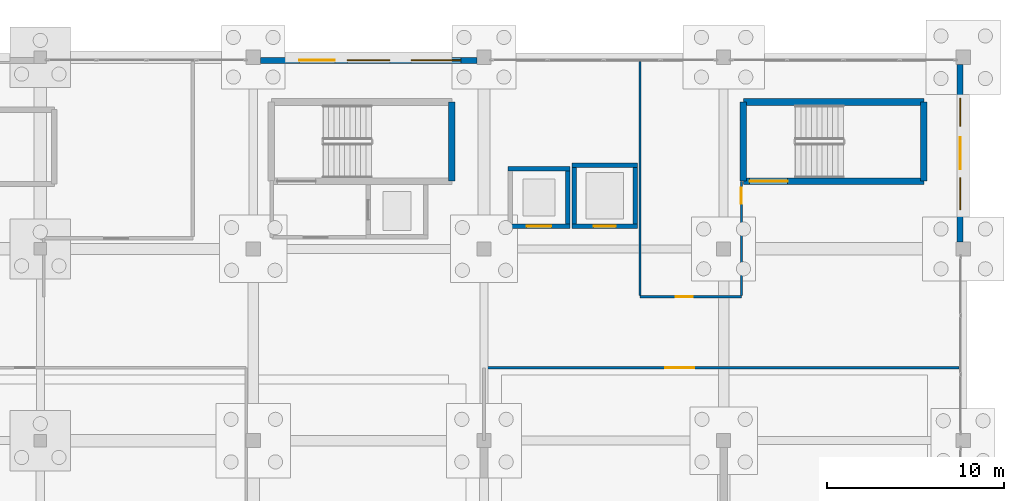
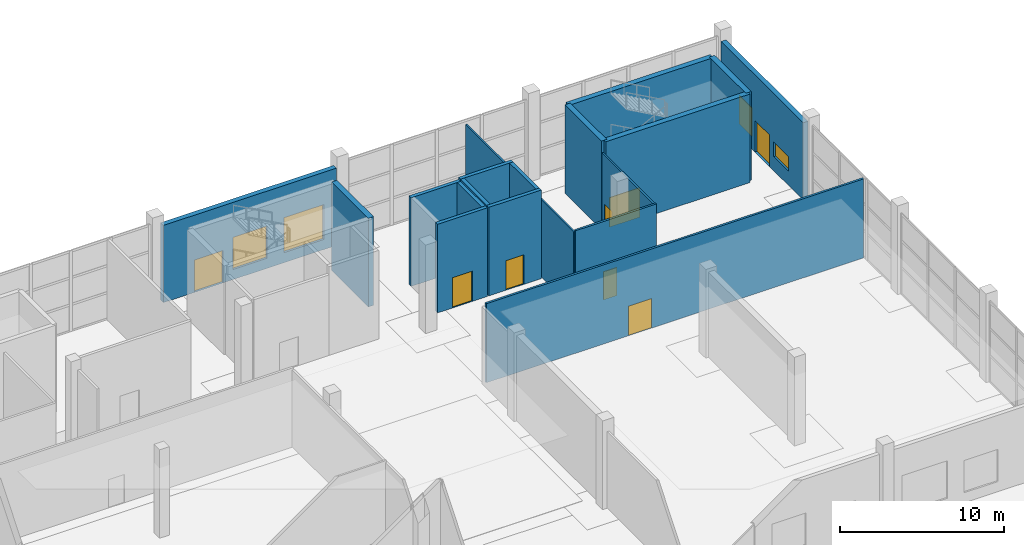
# One storey, part 95 of 115: 18 walls, 8 doors, 4 windows, 12 openings.
"""IFC4 building model written with IfcOpenShell, lengths in metres."""

from ifc_helpers import new_model, si_unit, direction, frame, frame_2d, origin, place, context, subcontext, project, spatial, rectangle, extrude, material, layer, layer_set, type_object, element, fill, save


model = new_model("IFC4")

# Units and contexts
model_context = context("Model", 3, precision=1e-05, world=origin(), true_north=direction((0.0, 1.0)))
body_context = subcontext(model_context, "Body", "Model", "MODEL_VIEW")
ifc_project = project(units=[si_unit("LENGTHUNIT", "METRE"), si_unit("AREAUNIT", "SQUARE_METRE"), si_unit("VOLUMEUNIT", "CUBIC_METRE"), si_unit("PLANEANGLEUNIT", "RADIAN"), si_unit("MASSUNIT", "GRAM", prefix="KILO")], contexts=[model_context])

# Site, building, storey
site_placement = place(None, origin())
site = spatial("IfcSite", under=ifc_project, at=site_placement, CompositionType="ELEMENT")
building_placement = place(site_placement, origin())
building = spatial("IfcBuilding", under=site, at=building_placement, Name="Tamarisk Ironworks Central Station", CompositionType="ELEMENT")
storey_placement = place(building_placement, origin())
storey = spatial("IfcBuildingStorey", under=building, at=storey_placement, Name="L00", CompositionType="ELEMENT", Elevation=0.0)

# Wall, openings, door, windows
ifc_material_1 = material(Name="Clay facing brickwork and mortar", Category="masonry")
ifc_layer_1 = layer(ifc_material_1, 0.340087890625)
ifc_layer_set_1 = layer_set([ifc_layer_1], Name="Clay facing brickwork and mortar")
wall_type_1 = type_object("IfcWallType", Name="WL-BR340", PredefinedType="STANDARD", material=ifc_layer_set_1)
wall_1_placement = place(storey_placement, frame((140.39794921875, 122.22998046875, 0.0), z_axis=(0.0, 0.0, 1.0), x_axis=(1.0, 0.0, 0.0)))
wall_1 = element("IfcWall", 1, at=wall_1_placement, inside=storey, type_object=wall_type_1, Name="L00 brick facade wall 0043", PredefinedType="STANDARD", context=body_context, shape_type="SweptSolid", body=[
    extrude(rectangle(XDim=12.2041015625, YDim=0.340087890625, at=frame_2d((6.10205078125, 0.0))), origin(), (0.0, 0.0, 1.0), 5.75),
])
opening_1_placement = place(wall_1_placement, frame((2.199951171875, 0.0, 0.0048828125)))
opening_1 = element("IfcOpeningElement", 2, at=opening_1_placement, cuts=wall_1, Name="Opening ED07", PredefinedType="OPENING", context=body_context, shape_type="SweptSolid", body=[
    extrude(rectangle(XDim=2.0, YDim=2.39990234375, at=frame_2d((1.0, 1.199951171875))), frame((0.0, 0.18212890625, 0.0), z_axis=(0.0, -1.0, 0.0), x_axis=(1.0, 0.0, 0.0)), (0.0, 0.0, 1.0), 0.364013671875),
])
opening_2_placement = place(wall_1_placement, frame((4.902099609375, 0.0, 0.75)))
opening_2 = element("IfcOpeningElement", 3, at=opening_2_placement, cuts=wall_1, Name="Opening W06", PredefinedType="OPENING", context=body_context, shape_type="SweptSolid", body=[
    extrude(rectangle(XDim=2.39990234375, YDim=2.39990234375, at=frame_2d((1.199951171875, 1.199951171875))), frame((0.0, 0.18212890625, 0.0), z_axis=(0.0, -1.0, 0.0), x_axis=(1.0, 0.0, 0.0)), (0.0, 0.0, 1.0), 0.364013671875),
])
opening_3_placement = place(wall_1_placement, frame((8.5029296875, 0.0, 0.75)))
opening_3 = element("IfcOpeningElement", 4, at=opening_3_placement, cuts=wall_1, Name="Opening W04", PredefinedType="OPENING", context=body_context, shape_type="SweptSolid", body=[
    extrude(rectangle(XDim=2.800048828125, YDim=2.60009765625, at=frame_2d((1.39990234375, 1.300048828125))), frame((0.0, 0.18212890625, 0.0), z_axis=(0.0, -1.0, 0.0), x_axis=(1.0, 0.0, 0.0)), (0.0, 0.0, 1.0), 0.364013671875),
])
ifc_material_2 = material(Name="Galvanised hollow-metal door steel", Category="steel")
door_type_1 = type_object("IfcDoorType", Name="DR-ED07", OperationType="NOTDEFINED", PredefinedType="DOOR", material=ifc_material_2)
door_1_placement = place(opening_1_placement, origin())
door_1 = element("IfcDoor", 5, at=door_1_placement, inside=storey, type_object=door_type_1, Name="L00 exterior entrance door 0010", OperationType="SINGLE_SWING_RIGHT", OverallHeight=2.39990234375, OverallWidth=2.0, PredefinedType="DOOR", context=body_context, shape_type="SweptSolid", body=[
    extrude(rectangle(XDim=2.0, YDim=2.39990234375, at=frame_2d((1.0, 1.199951171875))), frame((0.0, 0.02490234375, 0.0), z_axis=(0.0, -1.0, 0.0), x_axis=(1.0, 0.0, 0.0)), (0.0, 0.0, 1.0), 0.050048828125),
])
fill(opening_1, door_1)
ifc_material_3 = material(Name="Laminated solar-control low-E glass", Category="glass")
window_type_1 = type_object("IfcWindowType", Name="WN-04", PartitioningType="SINGLE_PANEL", PredefinedType="WINDOW", material=ifc_material_3)
window_1_placement = place(opening_3_placement, origin())
window_1 = element("IfcWindow", 6, at=window_1_placement, inside=storey, type_object=window_type_1, Name="L00 exterior window 0055", OverallHeight=2.60009765625, OverallWidth=2.800048828125, PartitioningType="DOUBLE_PANEL_VERTICAL", PredefinedType="WINDOW", context=body_context, shape_type="SweptSolid", body=[
    extrude(rectangle(XDim=2.800048828125, YDim=2.60009765625, at=frame_2d((1.39990234375, 1.300048828125))), frame((0.0, 0.030029296875, 0.0), z_axis=(0.0, -1.0, 0.0), x_axis=(1.0, 0.0, 0.0)), (0.0, 0.0, 1.0), 0.06005859375),
])
fill(opening_3, window_1)
window_type_2 = type_object("IfcWindowType", Name="WN-06", PartitioningType="SINGLE_PANEL", PredefinedType="WINDOW", material=ifc_material_3)
window_2_placement = place(opening_2_placement, origin())
window_2 = element("IfcWindow", 7, at=window_2_placement, inside=storey, type_object=window_type_2, Name="L00 exterior window 0054", OverallHeight=2.39990234375, OverallWidth=2.39990234375, PartitioningType="DOUBLE_PANEL_VERTICAL", PredefinedType="WINDOW", context=body_context, shape_type="SweptSolid", body=[
    extrude(rectangle(XDim=2.39990234375, YDim=2.39990234375, at=frame_2d((1.199951171875, 1.199951171875))), frame((0.0, 0.030029296875, 0.0), z_axis=(0.0, -1.0, 0.0), x_axis=(1.0, 0.0, 0.0)), (0.0, 0.0, 1.0), 0.06005859375),
])
fill(opening_2, window_2)

wall_2_placement = place(storey_placement, frame((179.830078125, 122.001953125, 0.0), z_axis=(0.0, 0.0, 1.0), x_axis=(0.0, -1.0, 0.0)))
wall_2 = element("IfcWall", 8, at=wall_2_placement, inside=storey, type_object=wall_type_1, Name="L00 brick facade wall 0044", PredefinedType="STANDARD", context=body_context, shape_type="SweptSolid", body=[
    extrude(rectangle(XDim=10.00390625, YDim=0.340087890625, at=frame_2d((5.001953125, 0.0))), origin(), (0.0, 0.0, 1.0), 5.75),
])
opening_4_placement = place(wall_2_placement, frame((4.10205078125, 0.0, 0.0048828125)))
opening_4 = element("IfcOpeningElement", 9, at=opening_4_placement, cuts=wall_2, Name="Opening ED08", PredefinedType="OPENING", context=body_context, shape_type="SweptSolid", body=[
    extrude(rectangle(XDim=1.800048828125, YDim=2.35009765625, at=frame_2d((0.89990234375, 1.175048828125))), frame((0.0, 0.18212890625, 0.0), z_axis=(0.0, -1.0, 0.0), x_axis=(1.0, 0.0, 0.0)), (0.0, 0.0, 1.0), 0.364013671875),
])
opening_5_placement = place(wall_2_placement, frame((1.90087890625, 0.0, 0.75)))
opening_5 = element("IfcOpeningElement", 10, at=opening_5_placement, cuts=wall_2, Name="Opening W10", PredefinedType="OPENING", context=body_context, shape_type="SweptSolid", body=[
    extrude(rectangle(XDim=1.60009765625, YDim=2.10009765625, at=frame_2d((0.800048828125, 1.050048828125))), frame((0.0, 0.18212890625, 0.0), z_axis=(0.0, -1.0, 0.0), x_axis=(1.0, 0.0, 0.0)), (0.0, 0.0, 1.0), 0.364013671875),
])
opening_6_placement = place(wall_2_placement, frame((6.403076171875, 0.0, 1.050048828125)))
opening_6 = element("IfcOpeningElement", 11, at=opening_6_placement, cuts=wall_2, Name="Opening W18", PredefinedType="OPENING", context=body_context, shape_type="SweptSolid", body=[
    extrude(rectangle(XDim=1.800048828125, YDim=1.10009765625, at=frame_2d((0.89990234375, 0.550048828125))), frame((0.0, 0.18212890625, 0.0), z_axis=(0.0, -1.0, 0.0), x_axis=(1.0, 0.0, 0.0)), (0.0, 0.0, 1.0), 0.364013671875),
])
door_type_2 = type_object("IfcDoorType", Name="DR-ED08", OperationType="NOTDEFINED", PredefinedType="DOOR", material=ifc_material_2)
door_2_placement = place(opening_4_placement, origin())
door_2 = element("IfcDoor", 12, at=door_2_placement, inside=storey, type_object=door_type_2, Name="L00 exterior entrance door 0011", OperationType="SINGLE_SWING_RIGHT", OverallHeight=2.35009765625, OverallWidth=1.800048828125, PredefinedType="DOOR", context=body_context, shape_type="SweptSolid", body=[
    extrude(rectangle(XDim=1.800048828125, YDim=2.35009765625, at=frame_2d((0.89990234375, 1.175048828125))), frame((0.0, 0.02490234375, 0.0), z_axis=(0.0, -1.0, 0.0), x_axis=(1.0, 0.0, 0.0)), (0.0, 0.0, 1.0), 0.050048828125),
])
fill(opening_4, door_2)
window_type_3 = type_object("IfcWindowType", Name="WN-10", PartitioningType="SINGLE_PANEL", PredefinedType="WINDOW", material=ifc_material_3)
window_3_placement = place(opening_5_placement, origin())
window_3 = element("IfcWindow", 13, at=window_3_placement, inside=storey, type_object=window_type_3, Name="L00 exterior window 0056", OverallHeight=2.10009765625, OverallWidth=1.60009765625, PartitioningType="DOUBLE_PANEL_VERTICAL", PredefinedType="WINDOW", context=body_context, shape_type="SweptSolid", body=[
    extrude(rectangle(XDim=1.60009765625, YDim=2.10009765625, at=frame_2d((0.800048828125, 1.050048828125))), frame((0.0, 0.030029296875, 0.0), z_axis=(0.0, -1.0, 0.0), x_axis=(1.0, 0.0, 0.0)), (0.0, 0.0, 1.0), 0.06005859375),
])
fill(opening_5, window_3)
window_type_4 = type_object("IfcWindowType", Name="WN-18", PartitioningType="SINGLE_PANEL", PredefinedType="WINDOW", material=ifc_material_3)
window_4_placement = place(opening_6_placement, origin())
window_4 = element("IfcWindow", 14, at=window_4_placement, inside=storey, type_object=window_type_4, Name="L00 exterior window 0057", OverallHeight=1.10009765625, OverallWidth=1.800048828125, PartitioningType="DOUBLE_PANEL_VERTICAL", PredefinedType="WINDOW", context=body_context, shape_type="SweptSolid", body=[
    extrude(rectangle(XDim=1.800048828125, YDim=1.10009765625, at=frame_2d((0.89990234375, 0.550048828125))), frame((0.0, 0.030029296875, 0.0), z_axis=(0.0, -1.0, 0.0), x_axis=(1.0, 0.0, 0.0)), (0.0, 0.0, 1.0), 0.06005859375),
])
fill(opening_6, window_4)

# Wall
ifc_material_4 = material(Name="Concrete C50/60", Category="concrete")
ifc_layer_2 = layer(ifc_material_4, 0.3798828125)
ifc_layer_set_2 = layer_set([ifc_layer_2], Name="Concrete C50/60")
wall_type_2 = type_object("IfcWallType", Name="WL-CW380", PredefinedType="SOLIDWALL", material=ifc_layer_set_2)
wall_3_placement = place(storey_placement, frame((151.18505859375, 115.4150390625, 0.0), z_axis=(0.0, 0.0, 1.0), x_axis=(0.0, 1.0, 0.0)))
element("IfcWall", 15, at=wall_3_placement, inside=storey, type_object=wall_type_2, Name="ST-C1 core wall F (L00)", PredefinedType="SOLIDWALL", context=body_context, shape_type="SweptSolid", body=[
    extrude(rectangle(XDim=4.469970703125, YDim=0.3798828125, at=frame_2d((2.23486328125, 0.0))), origin(), (0.0, 0.0, 1.0), 6.60009765625),
])

# Wall, opening, door
wall_4_placement = place(storey_placement, frame((167.614990234375, 115.4150390625, 0.0), z_axis=(0.0, 0.0, 1.0), x_axis=(1.0, 0.0, 0.0)))
wall_4 = element("IfcWall", 16, at=wall_4_placement, inside=storey, type_object=wall_type_2, Name="ST-C2 core wall L (L00)", PredefinedType="SOLIDWALL", context=body_context, shape_type="SweptSolid", body=[
    extrude(rectangle(XDim=10.169921875, YDim=0.3798828125, at=frame_2d((5.0849609375, 0.0))), origin(), (0.0, 0.0, 1.0), 6.60009765625),
])
opening_7_placement = place(wall_4_placement, frame((0.35009765625, 0.0, 0.0048828125)))
opening_7 = element("IfcOpeningElement", 17, at=opening_7_placement, cuts=wall_4, Name="Opening FD01", PredefinedType="OPENING", context=body_context, shape_type="SweptSolid", body=[
    extrude(rectangle(XDim=2.14990234375, YDim=2.199951171875, at=frame_2d((1.074951171875, 1.10009765625))), frame((0.0, 0.201904296875, 0.0), z_axis=(0.0, -1.0, 0.0), x_axis=(1.0, 0.0, 0.0)), (0.0, 0.0, 1.0), 0.40380859375),
])
door_type_3 = type_object("IfcDoorType", Name="DR-FD01", OperationType="NOTDEFINED", PredefinedType="DOOR", material=ifc_material_2)
door_3_placement = place(opening_7_placement, origin())
door_3 = element("IfcDoor", 18, at=door_3_placement, inside=storey, type_object=door_type_3, Name="ST-C2 fire stair door (L00)", OperationType="SINGLE_SWING_LEFT", OverallHeight=2.199951171875, OverallWidth=2.14990234375, PredefinedType="DOOR", context=body_context, shape_type="SweptSolid", body=[
    extrude(rectangle(XDim=2.14990234375, YDim=2.199951171875, at=frame_2d((1.074951171875, 1.10009765625))), frame((0.0, 0.02490234375, 0.0), z_axis=(0.0, -1.0, 0.0), x_axis=(1.0, 0.0, 0.0)), (0.0, 0.0, 1.0), 0.050048828125),
])
fill(opening_7, door_3)

# Walls
wall_5_placement = place(storey_placement, frame((167.614990234375, 119.885009765625, 0.0), z_axis=(0.0, 0.0, 1.0), x_axis=(1.0, 0.0, 0.0)))
element("IfcWall", 19, at=wall_5_placement, inside=storey, type_object=wall_type_2, Name="ST-C2 core wall R (L00)", PredefinedType="SOLIDWALL", context=body_context, shape_type="SweptSolid", body=[
    extrude(rectangle(XDim=10.169921875, YDim=0.3798828125, at=frame_2d((5.0849609375, 0.0))), origin(), (0.0, 0.0, 1.0), 6.60009765625),
])
for number, where, z_axis, x_axis, name in (
    (20, (167.614990234375, 115.4150390625, 0.0), (0.0, 0.0, 1.0), (0.0, 1.0, 0.0), "ST-C2 core wall N (L00)"),
    (21, (177.784912109375, 115.4150390625, 0.0), (0.0, 0.0, 1.0), (0.0, 1.0, 0.0), "ST-C2 core wall F (L00)"),
):
    element("IfcWall", number, at=place(storey_placement, frame(where, z_axis=z_axis, x_axis=x_axis)), inside=storey, type_object=wall_type_2, Name=name, PredefinedType="SOLIDWALL", context=body_context, shape_type="SweptSolid", body=[
        extrude(rectangle(XDim=4.469970703125, YDim=0.3798828125, at=frame_2d((2.23486328125, 0.0))), origin(), (0.0, 0.0, 1.0), 6.60009765625),
    ])

# Wall, opening, door
ifc_material_5 = material(Name="Gypsum plasterboard acoustic partition")
ifc_layer_3 = layer(ifc_material_5, 0.1201171875)
ifc_layer_set_3 = layer_set([ifc_layer_3], Name="Gypsum plasterboard acoustic partition")
wall_type_3 = type_object("IfcWallType", Name="WL-PT120", PredefinedType="PARTITIONING", material=ifc_layer_set_3)
wall_6_placement = place(storey_placement, frame((167.5, 108.972900390625, 0.0), z_axis=(0.0, 0.0, 1.0), x_axis=(0.0, 1.0, 0.0)))
wall_6 = element("IfcWall", 22, at=wall_6_placement, inside=storey, type_object=wall_type_3, Name="L00 interior partition 0063", PredefinedType="PARTITIONING", context=body_context, shape_type="SweptSolid", body=[
    extrude(rectangle(XDim=6.427001953125, YDim=0.1201171875, at=frame_2d((3.21337890625, 0.0))), origin(), (0.0, 0.0, 1.0), 5.739990234375),
])
opening_8_placement = place(wall_6_placement, frame((5.177001953125, 0.0, 0.0048828125)))
opening_8 = element("IfcOpeningElement", 23, at=opening_8_placement, cuts=wall_6, Name="Opening D08", PredefinedType="OPENING", context=body_context, shape_type="SweptSolid", body=[
    extrude(rectangle(XDim=0.89990234375, YDim=2.10009765625, at=frame_2d((0.449951171875, 1.050048828125))), frame((0.0, 0.072021484375, 0.0), z_axis=(0.0, -1.0, 0.0), x_axis=(1.0, 0.0, 0.0)), (0.0, 0.0, 1.0), 0.14404296875),
])
ifc_material_6 = material(Name="FSC certified tropical hardwood timber", Category="wood")
door_type_4 = type_object("IfcDoorType", Name="DR-ID08", OperationType="NOTDEFINED", PredefinedType="DOOR", material=ifc_material_6)
door_4_placement = place(opening_8_placement, origin())
door_4 = element("IfcDoor", 24, at=door_4_placement, inside=storey, type_object=door_type_4, Name="L00 room door 0049", OperationType="SINGLE_SWING_RIGHT", OverallHeight=2.10009765625, OverallWidth=0.89990234375, PredefinedType="DOOR", context=body_context, shape_type="SweptSolid", body=[
    extrude(rectangle(XDim=0.89990234375, YDim=2.10009765625, at=frame_2d((0.449951171875, 1.050048828125))), frame((0.0, 0.02490234375, 0.0), z_axis=(0.0, -1.0, 0.0), x_axis=(1.0, 0.0, 0.0)), (0.0, 0.0, 1.0), 0.050048828125),
])
fill(opening_8, door_4)

# Wall
wall_7_placement = place(storey_placement, frame((161.800048828125, 108.972900390625, 0.0), z_axis=(0.0, 0.0, 1.0), x_axis=(0.0, 1.0, 0.0)))
element("IfcWall", 25, at=wall_7_placement, inside=storey, type_object=wall_type_3, Name="L00 interior partition 0064", PredefinedType="PARTITIONING", context=body_context, shape_type="SweptSolid", body=[
    extrude(rectangle(XDim=13.189208984375, YDim=0.1201171875, at=frame_2d((6.5947265625, 0.0))), origin(), (0.0, 0.0, 1.0), 5.739990234375),
])

# Wall, opening, door
ifc_layer_4 = layer(ifc_material_5, 0.14990234375)
ifc_layer_set_4 = layer_set([ifc_layer_4], Name="Gypsum plasterboard acoustic partition")
wall_type_4 = type_object("IfcWallType", Name="WL-PT150", PredefinedType="PARTITIONING", material=ifc_layer_set_4)
wall_8_placement = place(storey_placement, frame((153.199951171875, 104.89990234375, 0.0), z_axis=(0.0, 0.0, 1.0), x_axis=(1.0, 0.0, 0.0)))
wall_8 = element("IfcWall", 26, at=wall_8_placement, inside=storey, type_object=wall_type_4, Name="L00 interior partition 0059", PredefinedType="PARTITIONING", context=body_context, shape_type="SweptSolid", body=[
    extrude(rectangle(XDim=26.56201171875, YDim=0.14990234375, at=frame_2d((13.281005859375, 0.0))), origin(), (0.0, 0.0, 1.0), 5.889892578125),
])
opening_9_placement = place(wall_8_placement, frame((10.0, 0.0, 0.0048828125)))
opening_9 = element("IfcOpeningElement", 27, at=opening_9_placement, cuts=wall_8, Name="Opening D03", PredefinedType="OPENING", context=body_context, shape_type="SweptSolid", body=[
    extrude(rectangle(XDim=1.64990234375, YDim=2.199951171875, at=frame_2d((0.824951171875, 1.10009765625))), frame((0.0, 0.0869140625, 0.0), z_axis=(0.0, -1.0, 0.0), x_axis=(1.0, 0.0, 0.0)), (0.0, 0.0, 1.0), 0.173828125),
])
door_type_5 = type_object("IfcDoorType", Name="DR-ID03", OperationType="NOTDEFINED", PredefinedType="DOOR", material=ifc_material_6)
door_5_placement = place(opening_9_placement, origin())
door_5 = element("IfcDoor", 28, at=door_5_placement, inside=storey, type_object=door_type_5, Name="L00 room door 0046", OperationType="DOUBLE_DOOR_SINGLE_SWING", OverallHeight=2.199951171875, OverallWidth=1.64990234375, PredefinedType="DOOR", context=body_context, shape_type="SweptSolid", body=[
    extrude(rectangle(XDim=1.64990234375, YDim=2.199951171875, at=frame_2d((0.824951171875, 1.10009765625))), frame((0.0, 0.02490234375, 0.0), z_axis=(0.0, -1.0, 0.0), x_axis=(1.0, 0.0, 0.0)), (0.0, 0.0, 1.0), 0.050048828125),
])
fill(opening_9, door_5)

wall_9_placement = place(storey_placement, frame((161.800048828125, 108.89990234375, 0.0), z_axis=(0.0, 0.0, 1.0), x_axis=(1.0, 0.0, 0.0)))
wall_9 = element("IfcWall", 29, at=wall_9_placement, inside=storey, type_object=wall_type_4, Name="L00 interior partition 0062", PredefinedType="PARTITIONING", context=body_context, shape_type="SweptSolid", body=[
    extrude(rectangle(XDim=5.699951171875, YDim=0.14990234375, at=frame_2d((2.85009765625, 0.0))), origin(), (0.0, 0.0, 1.0), 5.889892578125),
])
opening_10_placement = place(wall_9_placement, frame((2.0, 0.0, 0.0048828125)))
opening_10 = element("IfcOpeningElement", 30, at=opening_10_placement, cuts=wall_9, Name="Opening D07", PredefinedType="OPENING", context=body_context, shape_type="SweptSolid", body=[
    extrude(rectangle(XDim=0.949951171875, YDim=2.10009765625, at=frame_2d((0.47509765625, 1.050048828125))), frame((0.0, 0.0869140625, 0.0), z_axis=(0.0, -1.0, 0.0), x_axis=(1.0, 0.0, 0.0)), (0.0, 0.0, 1.0), 0.173828125),
])
door_type_6 = type_object("IfcDoorType", Name="DR-ID07", OperationType="NOTDEFINED", PredefinedType="DOOR", material=ifc_material_6)
door_6_placement = place(opening_10_placement, origin())
door_6 = element("IfcDoor", 31, at=door_6_placement, inside=storey, type_object=door_type_6, Name="L00 room door 0048", OperationType="SINGLE_SWING_LEFT", OverallHeight=2.10009765625, OverallWidth=0.949951171875, PredefinedType="DOOR", context=body_context, shape_type="SweptSolid", body=[
    extrude(rectangle(XDim=0.949951171875, YDim=2.10009765625, at=frame_2d((0.47509765625, 1.050048828125))), frame((0.0, 0.02490234375, 0.0), z_axis=(0.0, -1.0, 0.0), x_axis=(1.0, 0.0, 0.0)), (0.0, 0.0, 1.0), 0.050048828125),
])
fill(opening_10, door_6)

ifc_layer_5 = layer(ifc_material_4, 0.25)
ifc_layer_set_5 = layer_set([ifc_layer_5], Name="Concrete C50/60")
wall_type_5 = type_object("IfcWallType", Name="WL-SH250", PredefinedType="SOLIDWALL", material=ifc_layer_set_5)
wall_10_placement = place(storey_placement, frame((154.35009765625, 112.875, 0.0), z_axis=(0.0, 0.0, 1.0), x_axis=(1.0, 0.0, 0.0)))
wall_10 = element("IfcWall", 32, at=wall_10_placement, inside=storey, type_object=wall_type_5, Name="LF-O1 lift shaft wall S (L00)", PredefinedType="SOLIDWALL", context=body_context, shape_type="SweptSolid", body=[
    extrude(rectangle(XDim=3.5, YDim=0.25, at=frame_2d((1.75, 0.0))), origin(), (0.0, 0.0, 1.0), 6.60009765625),
])
opening_11_placement = place(wall_10_placement, frame((1.050048828125, 0.0, 0.0048828125)))
opening_11 = element("IfcOpeningElement", 33, at=opening_11_placement, cuts=wall_10, Name="Opening LD01", PredefinedType="OPENING", context=body_context, shape_type="SweptSolid", body=[
    extrude(rectangle(XDim=1.39990234375, YDim=2.25, at=frame_2d((0.699951171875, 1.125))), frame((0.0, 0.136962890625, 0.0), z_axis=(0.0, -1.0, 0.0), x_axis=(1.0, 0.0, 0.0)), (0.0, 0.0, 1.0), 0.27392578125),
])
ifc_material_7 = material(Name="Brushed stainless steel AISI 316", Category="steel")
door_type_7 = type_object("IfcDoorType", Name="DR-LD01", OperationType="NOTDEFINED", PredefinedType="DOOR", material=ifc_material_7)
door_7_placement = place(opening_11_placement, origin())
door_7 = element("IfcDoor", 34, at=door_7_placement, inside=storey, type_object=door_type_7, Name="LF-O1 sliding lift landing door (L00)", OperationType="SLIDING_TO_LEFT", OverallHeight=2.25, OverallWidth=1.39990234375, PredefinedType="DOOR", context=body_context, shape_type="SweptSolid", body=[
    extrude(rectangle(XDim=1.39990234375, YDim=2.25, at=frame_2d((0.699951171875, 1.125))), frame((0.0, 0.02490234375, 0.0), z_axis=(0.0, -1.0, 0.0), x_axis=(1.0, 0.0, 0.0)), (0.0, 0.0, 1.0), 0.050048828125),
])
fill(opening_11, door_7)

# Walls
wall_11_placement = place(storey_placement, frame((154.35009765625, 116.125, 0.0), z_axis=(0.0, 0.0, 1.0), x_axis=(1.0, 0.0, 0.0)))
element("IfcWall", 35, at=wall_11_placement, inside=storey, type_object=wall_type_5, Name="LF-O1 lift shaft wall N (L00)", PredefinedType="SOLIDWALL", context=body_context, shape_type="SweptSolid", body=[
    extrude(rectangle(XDim=3.5, YDim=0.25, at=frame_2d((1.75, 0.0))), origin(), (0.0, 0.0, 1.0), 6.60009765625),
])
wall_12_placement = place(storey_placement, frame((157.72509765625, 113.0, 0.0), z_axis=(0.0, 0.0, 1.0), x_axis=(0.0, 1.0, 0.0)))
element("IfcWall", 36, at=wall_12_placement, inside=storey, type_object=wall_type_5, Name="LF-O1 lift shaft wall E (L00)", PredefinedType="SOLIDWALL", context=body_context, shape_type="SweptSolid", body=[
    extrude(rectangle(XDim=3.0, YDim=0.25, at=frame_2d((1.5, 0.0))), origin(), (0.0, 0.0, 1.0), 6.60009765625),
])

# Wall, opening, door
wall_13_placement = place(storey_placement, frame((157.949951171875, 112.875, 0.0), z_axis=(0.0, 0.0, 1.0), x_axis=(1.0, 0.0, 0.0)))
wall_13 = element("IfcWall", 37, at=wall_13_placement, inside=storey, type_object=wall_type_5, Name="LF-O2 lift shaft wall S (L00)", PredefinedType="SOLIDWALL", context=body_context, shape_type="SweptSolid", body=[
    extrude(rectangle(XDim=3.699951171875, YDim=0.25, at=frame_2d((1.85009765625, 0.0))), origin(), (0.0, 0.0, 1.0), 6.60009765625),
])
opening_12_placement = place(wall_13_placement, frame((1.22509765625, 0.0, 0.0048828125)))
opening_12 = element("IfcOpeningElement", 38, at=opening_12_placement, cuts=wall_13, Name="Opening LD02", PredefinedType="OPENING", context=body_context, shape_type="SweptSolid", body=[
    extrude(rectangle(XDim=1.25, YDim=2.199951171875, at=frame_2d((0.625, 1.10009765625))), frame((0.0, 0.136962890625, 0.0), z_axis=(0.0, -1.0, 0.0), x_axis=(1.0, 0.0, 0.0)), (0.0, 0.0, 1.0), 0.27392578125),
])
door_type_8 = type_object("IfcDoorType", Name="DR-LD02", OperationType="NOTDEFINED", PredefinedType="DOOR", material=ifc_material_7)
door_8_placement = place(opening_12_placement, origin())
door_8 = element("IfcDoor", 39, at=door_8_placement, inside=storey, type_object=door_type_8, Name="LF-O2 sliding lift landing door (L00)", OperationType="SLIDING_TO_LEFT", OverallHeight=2.199951171875, OverallWidth=1.25, PredefinedType="DOOR", context=body_context, shape_type="SweptSolid", body=[
    extrude(rectangle(XDim=1.25, YDim=2.199951171875, at=frame_2d((0.625, 1.10009765625))), frame((0.0, 0.02490234375, 0.0), z_axis=(0.0, -1.0, 0.0), x_axis=(1.0, 0.0, 0.0)), (0.0, 0.0, 1.0), 0.050048828125),
])
fill(opening_12, door_8)

# Walls
wall_14_placement = place(storey_placement, frame((157.949951171875, 116.324951171875, 0.0), z_axis=(0.0, 0.0, 1.0), x_axis=(1.0, 0.0, 0.0)))
element("IfcWall", 40, at=wall_14_placement, inside=storey, type_object=wall_type_5, Name="LF-O2 lift shaft wall N (L00)", PredefinedType="SOLIDWALL", context=body_context, shape_type="SweptSolid", body=[
    extrude(rectangle(XDim=3.699951171875, YDim=0.25, at=frame_2d((1.85009765625, 0.0))), origin(), (0.0, 0.0, 1.0), 6.60009765625),
])
for number, where, z_axis, x_axis, name in (
    (41, (158.074951171875, 113.0, 0.0), (0.0, 0.0, 1.0), (0.0, 1.0, 0.0), "LF-O2 lift shaft wall W (L00)"),
    (42, (161.52490234375, 113.0, 0.0), (0.0, 0.0, 1.0), (0.0, 1.0, 0.0), "LF-O2 lift shaft wall E (L00)"),
):
    element("IfcWall", number, at=place(storey_placement, frame(where, z_axis=z_axis, x_axis=x_axis)), inside=storey, type_object=wall_type_5, Name=name, PredefinedType="SOLIDWALL", context=body_context, shape_type="SweptSolid", body=[
        extrude(rectangle(XDim=3.199951171875, YDim=0.25, at=frame_2d((1.60009765625, 0.0))), origin(), (0.0, 0.0, 1.0), 6.60009765625),
    ])

save(model, "model.ifc")
